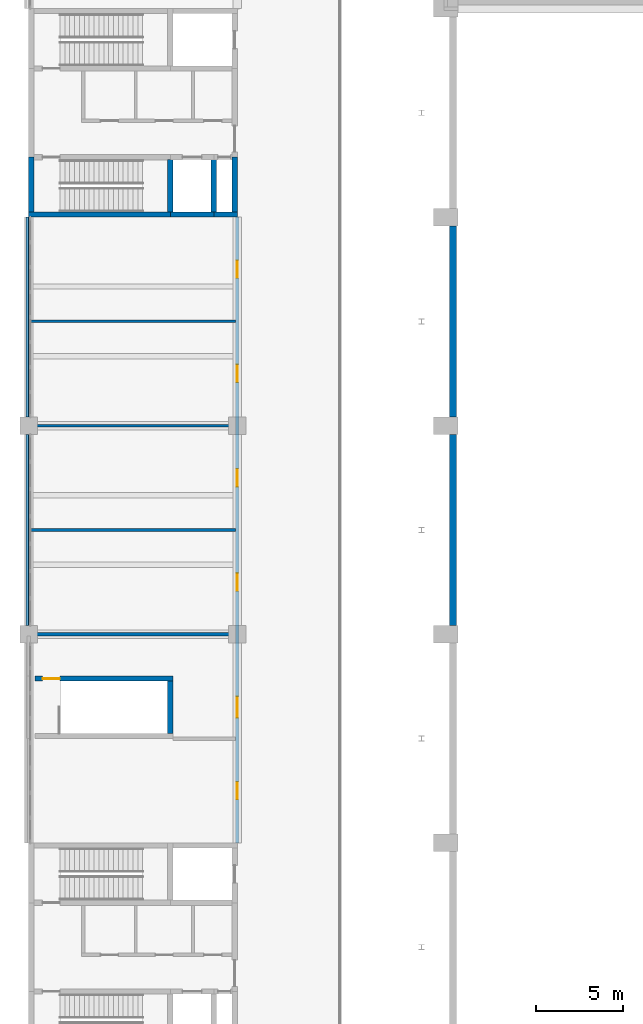
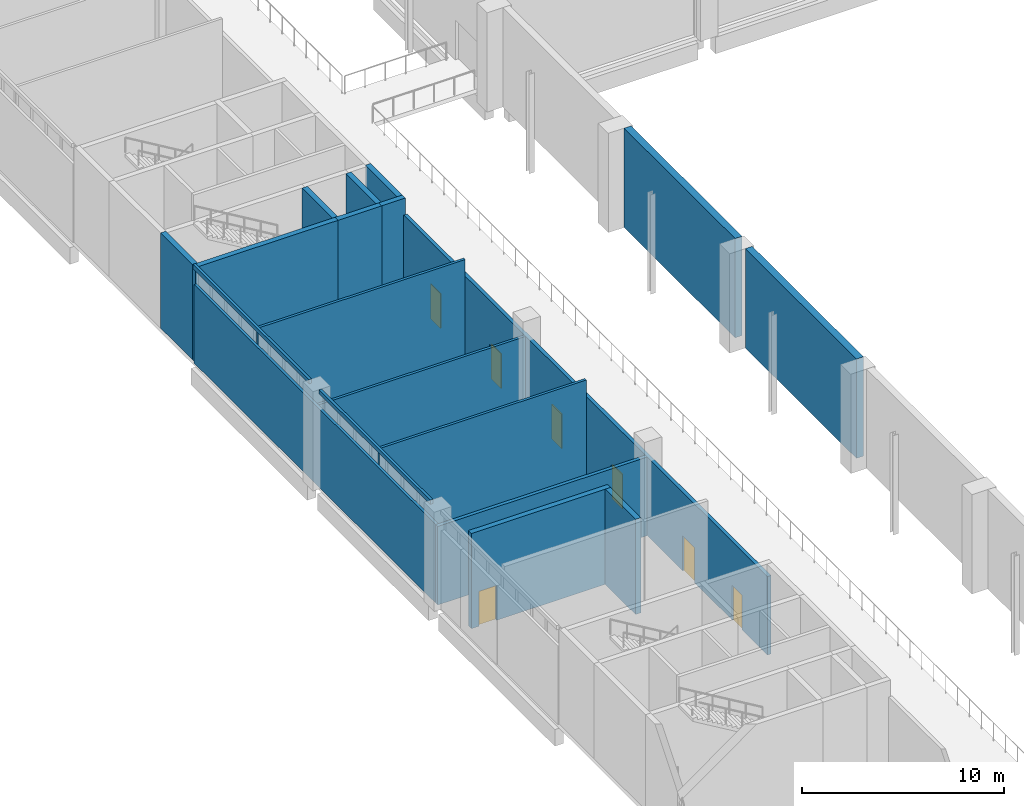
# One storey, part 52 of 72: 19 walls, 7 doors, 7 openings.
"""IFC4 building model written with IfcOpenShell, lengths in metres."""

from ifc_helpers import new_model, si_unit, direction, frame, frame_2d, origin, place, context, subcontext, project, spatial, rectangle, extrude, material, layer, layer_set, type_object, element, fill, save


model = new_model("IFC4")

# Units and contexts
model_context = context("Model", 3, precision=1e-05, world=origin(), true_north=direction((0.0, 1.0)))
body_context = subcontext(model_context, "Body", "Model", "MODEL_VIEW")
ifc_project = project(units=[si_unit("LENGTHUNIT", "METRE"), si_unit("AREAUNIT", "SQUARE_METRE"), si_unit("VOLUMEUNIT", "CUBIC_METRE"), si_unit("PLANEANGLEUNIT", "RADIAN"), si_unit("MASSUNIT", "GRAM", prefix="KILO")], contexts=[model_context])

# Site, building, storey
site_placement = place(None, origin())
site = spatial("IfcSite", under=ifc_project, at=site_placement, CompositionType="ELEMENT")
building_placement = place(site_placement, origin())
building = spatial("IfcBuilding", under=site, at=building_placement, Name="Lilac Gate Convention Centre", CompositionType="ELEMENT")
storey_placement = place(building_placement, frame((0.0, 0.0, 6.0)))
storey = spatial("IfcBuildingStorey", under=building, at=storey_placement, Name="L01", CompositionType="ELEMENT", Elevation=6.0)

# Walls
ifc_material_1 = material(Name="Concrete C30", Category="concrete")
ifc_layer_1 = layer(ifc_material_1, 0.39990234375)
ifc_layer_set_1 = layer_set([ifc_layer_1], Name="Concrete C30")
wall_type_1 = type_object("IfcWallType", Name="Hall fire wall 400", PredefinedType="SOLIDWALL", material=ifc_layer_set_1)
for number, where, z_axis, x_axis, name in (
    (1, (30.39990234375, 66.5, 0.0), (0.0, 0.0, 1.0), (0.0, 1.0, 0.0), "Fire wall galleria FW L01 4"),
    (2, (30.39990234375, 78.5, 0.0), (0.0, 0.0, 1.0), (0.0, 1.0, 0.0), "Fire wall galleria FW L01 5"),
):
    element("IfcWall", number, at=place(storey_placement, frame(where, z_axis=z_axis, x_axis=x_axis)), inside=storey, type_object=wall_type_1, Name=name, PredefinedType="SOLIDWALL", context=body_context, shape_type="SweptSolid", body=[
        extrude(rectangle(XDim=11.0, YDim=0.39990234375, at=frame_2d((5.5, 0.0))), origin(), (0.0, 0.0, 1.0), 6.0),
    ])
ifc_material_2 = material(Name="Fire-rated gypsum board on steel stud", Category="steel")
ifc_layer_2 = layer(ifc_material_2, 0.14990234375)
ifc_layer_set_2 = layer_set([ifc_layer_2], Name="Fire-rated gypsum board on steel stud")
wall_type_2 = type_object("IfcWallType", Name="Partition 150 fire-rated gypsum board EI 60", PredefinedType="PARTITIONING", material=ifc_layer_set_2)
wall_1_placement = place(storey_placement, frame((6.074951171875, 72.0, 0.0), z_axis=(0.0, 0.0, 1.0), x_axis=(1.0, 0.0, 0.0)))
element("IfcWall", 3, at=wall_1_placement, inside=storey, type_object=wall_type_2, Name="Partition 150 fire-rated gypsum board EI 60", PredefinedType="PARTITIONING", context=body_context, shape_type="SweptSolid", body=[
    extrude(rectangle(XDim=11.824951171875, YDim=0.14990234375, at=frame_2d((5.91259765625, 0.0))), origin(), (0.0, 0.0, 1.0), 5.75),
])
wall_2_placement = place(storey_placement, frame((6.074951171875, 78.0, 0.0), z_axis=(0.0, 0.0, 1.0), x_axis=(1.0, 0.0, 0.0)))
element("IfcWall", 4, at=wall_2_placement, inside=storey, type_object=wall_type_2, Name="Partition 150 fire-rated gypsum board EI 60", PredefinedType="PARTITIONING", context=body_context, shape_type="SweptSolid", body=[
    extrude(rectangle(XDim=11.824951171875, YDim=0.14990234375, at=frame_2d((5.91259765625, 0.0))), origin(), (0.0, 0.0, 1.0), 4.75),
])
wall_3_placement = place(storey_placement, frame((6.074951171875, 84.0, 0.0), z_axis=(0.0, 0.0, 1.0), x_axis=(1.0, 0.0, 0.0)))
element("IfcWall", 5, at=wall_3_placement, inside=storey, type_object=wall_type_2, Name="Partition 150 fire-rated gypsum board EI 60", PredefinedType="PARTITIONING", context=body_context, shape_type="SweptSolid", body=[
    extrude(rectangle(XDim=11.824951171875, YDim=0.14990234375, at=frame_2d((5.91259765625, 0.0))), origin(), (0.0, 0.0, 1.0), 5.75),
])
wall_4_placement = place(storey_placement, frame((6.0, 66.10009765625, 0.0), z_axis=(0.0, 0.0, 1.0), x_axis=(0.0, 1.0, 0.0)))
element("IfcWall", 6, at=wall_4_placement, inside=storey, type_object=wall_type_2, Name="Partition 150 fire-rated gypsum board EI 60", PredefinedType="PARTITIONING", context=body_context, shape_type="SweptSolid", body=[
    extrude(rectangle(XDim=23.89990234375, YDim=0.14990234375, at=frame_2d((11.949951171875, 0.0))), origin(), (0.0, 0.0, 1.0), 4.75),
])
ifc_material_3 = material(Name="Clay brick masonry", Category="masonry")
ifc_layer_3 = layer(ifc_material_3, 0.199951171875)
ifc_layer_set_3 = layer_set([ifc_layer_3], Name="Clay brick masonry")
wall_type_3 = type_object("IfcWallType", Name="Partition 200 brick EI 60", PredefinedType="PARTITIONING", material=ifc_layer_set_3)
wall_5_placement = place(storey_placement, frame((5.925048828125, 66.0, 0.0), z_axis=(0.0, 0.0, 1.0), x_axis=(1.0, 0.0, 0.0)))
element("IfcWall", 7, at=wall_5_placement, inside=storey, type_object=wall_type_3, Name="Partition 200 brick EI 60", PredefinedType="PARTITIONING", context=body_context, shape_type="SweptSolid", body=[
    extrude(rectangle(XDim=11.974853515625, YDim=0.199951171875, at=frame_2d((5.9873046875, 0.0))), origin(), (0.0, 0.0, 1.0), 4.75),
])

# Wall, openings, doors
wall_6_placement = place(storey_placement, frame((18.0, 54.0, 0.0), z_axis=(0.0, 0.0, 1.0), x_axis=(0.0, 1.0, 0.0)))
wall_6 = element("IfcWall", 8, at=wall_6_placement, inside=storey, type_object=wall_type_3, Name="Partition 200 brick EI 60", PredefinedType="PARTITIONING", context=body_context, shape_type="SweptSolid", body=[
    extrude(rectangle(XDim=36.0, YDim=0.199951171875, at=frame_2d((18.0, 0.0))), origin(), (0.0, 0.0, 1.0), 4.75),
])
opening_1_placement = place(wall_6_placement, frame((2.5, 0.0, 0.0)))
opening_1 = element("IfcOpeningElement", 9, at=opening_1_placement, cuts=wall_6, Name="Opening L01-011", PredefinedType="OPENING", context=body_context, shape_type="SweptSolid", body=[
    extrude(rectangle(XDim=1.0, YDim=2.10009765625, at=frame_2d((0.5, 1.050048828125))), frame((0.0, 0.10986328125, 0.0), z_axis=(0.0, -1.0, 0.0), x_axis=(1.0, 0.0, 0.0)), (0.0, 0.0, 1.0), 0.219970703125),
])
opening_2_placement = place(wall_6_placement, frame((7.199951171875, 0.0, 0.0)))
opening_2 = element("IfcOpeningElement", 10, at=opening_2_placement, cuts=wall_6, Name="Opening L01-012", PredefinedType="OPENING", context=body_context, shape_type="SweptSolid", body=[
    extrude(rectangle(XDim=1.199951171875, YDim=2.10009765625, at=frame_2d((0.60009765625, 1.050048828125))), frame((0.0, 0.10986328125, 0.0), z_axis=(0.0, -1.0, 0.0), x_axis=(1.0, 0.0, 0.0)), (0.0, 0.0, 1.0), 0.219970703125),
])
opening_3_placement = place(wall_6_placement, frame((14.5, 0.0, 0.0)))
opening_3 = element("IfcOpeningElement", 11, at=opening_3_placement, cuts=wall_6, Name="Opening L01-014", PredefinedType="OPENING", context=body_context, shape_type="SweptSolid", body=[
    extrude(rectangle(XDim=1.0, YDim=2.10009765625, at=frame_2d((0.5, 1.050048828125))), frame((0.0, 0.10986328125, 0.0), z_axis=(0.0, -1.0, 0.0), x_axis=(1.0, 0.0, 0.0)), (0.0, 0.0, 1.0), 0.219970703125),
])
opening_4_placement = place(wall_6_placement, frame((20.5, 0.0, 0.0)))
opening_4 = element("IfcOpeningElement", 12, at=opening_4_placement, cuts=wall_6, Name="Opening L01-015", PredefinedType="OPENING", context=body_context, shape_type="SweptSolid", body=[
    extrude(rectangle(XDim=1.0, YDim=2.10009765625, at=frame_2d((0.5, 1.050048828125))), frame((0.0, 0.10986328125, 0.0), z_axis=(0.0, -1.0, 0.0), x_axis=(1.0, 0.0, 0.0)), (0.0, 0.0, 1.0), 0.219970703125),
])
opening_5_placement = place(wall_6_placement, frame((26.5, 0.0, 0.0)))
opening_5 = element("IfcOpeningElement", 13, at=opening_5_placement, cuts=wall_6, Name="Opening L01-016", PredefinedType="OPENING", context=body_context, shape_type="SweptSolid", body=[
    extrude(rectangle(XDim=1.0, YDim=2.10009765625, at=frame_2d((0.5, 1.050048828125))), frame((0.0, 0.10986328125, 0.0), z_axis=(0.0, -1.0, 0.0), x_axis=(1.0, 0.0, 0.0)), (0.0, 0.0, 1.0), 0.219970703125),
])
opening_6_placement = place(wall_6_placement, frame((32.5, 0.0, 0.0)))
opening_6 = element("IfcOpeningElement", 14, at=opening_6_placement, cuts=wall_6, Name="Opening L01-017", PredefinedType="OPENING", context=body_context, shape_type="SweptSolid", body=[
    extrude(rectangle(XDim=1.0, YDim=2.10009765625, at=frame_2d((0.5, 1.050048828125))), frame((0.0, 0.10986328125, 0.0), z_axis=(0.0, -1.0, 0.0), x_axis=(1.0, 0.0, 0.0)), (0.0, 0.0, 1.0), 0.219970703125),
])
ifc_material_4 = material(Name="Timber fire door leaf", Category="wood")
door_type_1 = type_object("IfcDoorType", Name="Door 1000 x 2100 single leaf FD30", OperationType="SINGLE_SWING_LEFT", PredefinedType="DOOR", material=ifc_material_4)
door_1_placement = place(opening_1_placement, origin())
door_1 = element("IfcDoor", 15, at=door_1_placement, inside=storey, type_object=door_type_1, Name="Meeting room door L01-011", OperationType="SINGLE_SWING_RIGHT", OverallHeight=2.10009765625, OverallWidth=1.0, PredefinedType="DOOR", context=body_context, shape_type="SweptSolid", body=[
    extrude(rectangle(XDim=1.0, YDim=2.10009765625, at=frame_2d((0.5, 1.050048828125))), frame((0.0, 0.02490234375, 0.0), z_axis=(0.0, -1.0, 0.0), x_axis=(1.0, 0.0, 0.0)), (0.0, 0.0, 1.0), 0.050048828125),
])
fill(opening_1, door_1)
door_2_placement = place(opening_3_placement, origin())
door_2 = element("IfcDoor", 16, at=door_2_placement, inside=storey, type_object=door_type_1, Name="Meeting room door L01-014", OperationType="SINGLE_SWING_RIGHT", OverallHeight=2.10009765625, OverallWidth=1.0, PredefinedType="DOOR", context=body_context, shape_type="SweptSolid", body=[
    extrude(rectangle(XDim=1.0, YDim=2.10009765625, at=frame_2d((0.5, 1.050048828125))), frame((0.0, 0.02490234375, 0.0), z_axis=(0.0, -1.0, 0.0), x_axis=(1.0, 0.0, 0.0)), (0.0, 0.0, 1.0), 0.050048828125),
])
fill(opening_3, door_2)
door_3_placement = place(opening_4_placement, origin())
door_3 = element("IfcDoor", 17, at=door_3_placement, inside=storey, type_object=door_type_1, Name="Meeting room door L01-015", OperationType="SINGLE_SWING_RIGHT", OverallHeight=2.10009765625, OverallWidth=1.0, PredefinedType="DOOR", context=body_context, shape_type="SweptSolid", body=[
    extrude(rectangle(XDim=1.0, YDim=2.10009765625, at=frame_2d((0.5, 1.050048828125))), frame((0.0, 0.02490234375, 0.0), z_axis=(0.0, -1.0, 0.0), x_axis=(1.0, 0.0, 0.0)), (0.0, 0.0, 1.0), 0.050048828125),
])
fill(opening_4, door_3)
door_4_placement = place(opening_5_placement, origin())
door_4 = element("IfcDoor", 18, at=door_4_placement, inside=storey, type_object=door_type_1, Name="Meeting room door L01-016", OperationType="SINGLE_SWING_RIGHT", OverallHeight=2.10009765625, OverallWidth=1.0, PredefinedType="DOOR", context=body_context, shape_type="SweptSolid", body=[
    extrude(rectangle(XDim=1.0, YDim=2.10009765625, at=frame_2d((0.5, 1.050048828125))), frame((0.0, 0.02490234375, 0.0), z_axis=(0.0, -1.0, 0.0), x_axis=(1.0, 0.0, 0.0)), (0.0, 0.0, 1.0), 0.050048828125),
])
fill(opening_5, door_4)
door_5_placement = place(opening_6_placement, origin())
door_5 = element("IfcDoor", 19, at=door_5_placement, inside=storey, type_object=door_type_1, Name="Meeting room door L01-017", OperationType="SINGLE_SWING_RIGHT", OverallHeight=2.10009765625, OverallWidth=1.0, PredefinedType="DOOR", context=body_context, shape_type="SweptSolid", body=[
    extrude(rectangle(XDim=1.0, YDim=2.10009765625, at=frame_2d((0.5, 1.050048828125))), frame((0.0, 0.02490234375, 0.0), z_axis=(0.0, -1.0, 0.0), x_axis=(1.0, 0.0, 0.0)), (0.0, 0.0, 1.0), 0.050048828125),
])
fill(opening_6, door_5)
door_type_2 = type_object("IfcDoorType", Name="Door 1200 x 2100 single leaf FD60", OperationType="SINGLE_SWING_LEFT", PredefinedType="DOOR", material=ifc_material_4)
door_6_placement = place(opening_2_placement, origin())
door_6 = element("IfcDoor", 20, at=door_6_placement, inside=storey, type_object=door_type_2, Name="Lobby door L01-012", OperationType="SINGLE_SWING_RIGHT", OverallHeight=2.10009765625, OverallWidth=1.199951171875, PredefinedType="DOOR", context=body_context, shape_type="SweptSolid", body=[
    extrude(rectangle(XDim=1.199951171875, YDim=2.10009765625, at=frame_2d((0.60009765625, 1.050048828125))), frame((0.0, 0.02490234375, 0.0), z_axis=(0.0, -1.0, 0.0), x_axis=(1.0, 0.0, 0.0)), (0.0, 0.0, 1.0), 0.050048828125),
])
fill(opening_2, door_6)

# Walls
ifc_material_5 = material(Name="Concrete C40 precast", Category="concrete")
ifc_layer_4 = layer(ifc_material_5, 0.1298828125)
ifc_material_6 = material(Name="Ochre mineral render")
ifc_layer_5 = layer(ifc_material_6, 0.02001953125)
ifc_layer_set_4 = layer_set([ifc_layer_4, ifc_layer_5], Name="Concrete C40 precast, Ochre mineral render")
wall_type_4 = type_object("IfcWallType", Name="Precast band ochre 150", PredefinedType="STANDARD", material=ifc_layer_set_4)
wall_7_placement = place(storey_placement, frame((5.925048828125, 90.0, 5.75), z_axis=(0.0, 0.0, 1.0), x_axis=(0.0, -1.0, 0.0)))
element("IfcWall", 21, at=wall_7_placement, inside=storey, type_object=wall_type_4, Name="Precast band PW L01 9", PredefinedType="STANDARD", context=body_context, shape_type="SweptSolid", body=[
    extrude(rectangle(XDim=11.5, YDim=0.14990234375, at=frame_2d((5.75, 0.0))), origin(), (0.0, 0.0, 1.0), 0.25),
])
wall_8_placement = place(storey_placement, frame((5.925048828125, 77.5, 5.75), z_axis=(0.0, 0.0, 1.0), x_axis=(0.0, -1.0, 0.0)))
element("IfcWall", 22, at=wall_8_placement, inside=storey, type_object=wall_type_4, Name="Precast band PW L01 10", PredefinedType="STANDARD", context=body_context, shape_type="SweptSolid", body=[
    extrude(rectangle(XDim=11.0, YDim=0.14990234375, at=frame_2d((5.5, 0.0))), origin(), (0.0, 0.0, 1.0), 0.25),
])

# Wall, opening, door
ifc_material_7 = material(Name="Concrete C40", Category="concrete")
ifc_layer_6 = layer(ifc_material_7, 0.300048828125)
ifc_layer_set_5 = layer_set([ifc_layer_6], Name="Concrete C40")
wall_type_5 = type_object("IfcWallType", Name="Shear wall 300 C40", PredefinedType="SHEAR", material=ifc_layer_set_5)
wall_9_placement = place(storey_placement, frame((6.35009765625, 63.449951171875, 0.0), z_axis=(0.0, 0.0, 1.0), x_axis=(1.0, 0.0, 0.0)))
wall_9 = element("IfcWall", 23, at=wall_9_placement, inside=storey, type_object=wall_type_5, Name="SW1 shear wall UW1 L01 2", PredefinedType="SHEAR", context=body_context, shape_type="SweptSolid", body=[
    extrude(rectangle(XDim=7.949951171875, YDim=0.300048828125, at=frame_2d((3.97509765625, 0.0))), origin(), (0.0, 0.0, 1.0), 5.75),
])
opening_7_placement = place(wall_9_placement, frame((0.449951171875, 0.0, 0.0)))
opening_7 = element("IfcOpeningElement", 24, at=opening_7_placement, cuts=wall_9, Name="Opening L01-013", PredefinedType="OPENING", context=body_context, shape_type="SweptSolid", body=[
    extrude(rectangle(XDim=1.0, YDim=2.10009765625, at=frame_2d((0.5, 1.050048828125))), frame((0.0, 0.159912109375, 0.0), z_axis=(0.0, -1.0, 0.0), x_axis=(1.0, 0.0, 0.0)), (0.0, 0.0, 1.0), 0.320068359375),
])
door_type_3 = type_object("IfcDoorType", Name="Door 1000 x 2100 single leaf FD60", OperationType="SINGLE_SWING_LEFT", PredefinedType="DOOR", material=ifc_material_4)
door_7_placement = place(opening_7_placement, frame((1.0, 0.0, 0.0), z_axis=(0.0, 0.0, 1.0), x_axis=(-1.0, 0.0, 0.0)))
door_7 = element("IfcDoor", 25, at=door_7_placement, inside=storey, type_object=door_type_3, Name="Stair door L01-013", OperationType="SINGLE_SWING_LEFT", OverallHeight=2.10009765625, OverallWidth=1.0, PredefinedType="DOOR", context=body_context, shape_type="SweptSolid", body=[
    extrude(rectangle(XDim=1.0, YDim=2.10009765625, at=frame_2d((0.5, 1.050048828125))), frame((0.0, 0.02490234375, 0.0), z_axis=(0.0, -1.0, 0.0), x_axis=(1.0, 0.0, 0.0)), (0.0, 0.0, 1.0), 0.050048828125),
])
fill(opening_7, door_7)

# Walls
wall_10_placement = place(storey_placement, frame((14.14990234375, 60.300048828125, 0.0), z_axis=(0.0, 0.0, 1.0), x_axis=(0.0, 1.0, 0.0)))
element("IfcWall", 26, at=wall_10_placement, inside=storey, type_object=wall_type_5, Name="SW1 shear wall UW1 L01 3", PredefinedType="SHEAR", context=body_context, shape_type="SweptSolid", body=[
    extrude(rectangle(XDim=3.0, YDim=0.300048828125, at=frame_2d((1.5, 0.0))), origin(), (0.0, 0.0, 1.0), 5.75),
])
wall_11_placement = place(storey_placement, frame((6.0, 90.14990234375, 0.0), z_axis=(0.0, 0.0, 1.0), x_axis=(1.0, 0.0, 0.0)))
element("IfcWall", 27, at=wall_11_placement, inside=storey, type_object=wall_type_5, Name="SW1 shear wall W2 L01 1", PredefinedType="SHEAR", context=body_context, shape_type="SweptSolid", body=[
    extrude(rectangle(XDim=8.14990234375, YDim=0.300048828125, at=frame_2d((4.074951171875, 0.0))), origin(), (0.0, 0.0, 1.0), 5.75),
])
wall_12_placement = place(storey_placement, frame((14.14990234375, 90.14990234375, 0.0), z_axis=(0.0, 0.0, 1.0), x_axis=(1.0, 0.0, 0.0)))
element("IfcWall", 28, at=wall_12_placement, inside=storey, type_object=wall_type_5, Name="SW1 shear wall W2 L01 2", PredefinedType="SHEAR", context=body_context, shape_type="SweptSolid", body=[
    extrude(rectangle(XDim=2.5, YDim=0.300048828125, at=frame_2d((1.25, 0.0))), origin(), (0.0, 0.0, 1.0), 5.75),
])
wall_13_placement = place(storey_placement, frame((16.64990234375, 90.14990234375, 0.0), z_axis=(0.0, 0.0, 1.0), x_axis=(1.0, 0.0, 0.0)))
element("IfcWall", 29, at=wall_13_placement, inside=storey, type_object=wall_type_5, Name="SW1 shear wall W2 L01 3", PredefinedType="SHEAR", context=body_context, shape_type="SweptSolid", body=[
    extrude(rectangle(XDim=1.35009765625, YDim=0.300048828125, at=frame_2d((0.675048828125, 0.0))), origin(), (0.0, 0.0, 1.0), 5.75),
])
for number, where, z_axis, x_axis, name in (
    (30, (6.14990234375, 90.300048828125, 0.0), (0.0, 0.0, 1.0), (0.0, 1.0, 0.0), "SW1 shear wall W2 L01 11"),
    (31, (17.85009765625, 90.300048828125, 0.0), (0.0, 0.0, 1.0), (0.0, 1.0, 0.0), "SW1 shear wall W2 L01 14"),
):
    element("IfcWall", number, at=place(storey_placement, frame(where, z_axis=z_axis, x_axis=x_axis)), inside=storey, type_object=wall_type_5, Name=name, PredefinedType="SHEAR", context=body_context, shape_type="SweptSolid", body=[
        extrude(rectangle(XDim=3.14990234375, YDim=0.300048828125, at=frame_2d((1.574951171875, 0.0))), origin(), (0.0, 0.0, 1.0), 5.75),
    ])
for number, where, z_axis, x_axis, name in (
    (32, (14.14990234375, 90.300048828125, 0.0), (0.0, 0.0, 1.0), (0.0, 1.0, 0.0), "SW1 shear wall W2 L01 17"),
    (33, (16.64990234375, 90.300048828125, 0.0), (0.0, 0.0, 1.0), (0.0, 1.0, 0.0), "SW1 shear wall W2 L01 19"),
):
    element("IfcWall", number, at=place(storey_placement, frame(where, z_axis=z_axis, x_axis=x_axis)), inside=storey, type_object=wall_type_5, Name=name, PredefinedType="SHEAR", context=body_context, shape_type="SweptSolid", body=[
        extrude(rectangle(XDim=3.0, YDim=0.300048828125, at=frame_2d((1.5, 0.0))), origin(), (0.0, 0.0, 1.0), 5.75),
    ])

save(model, "model.ifc")
